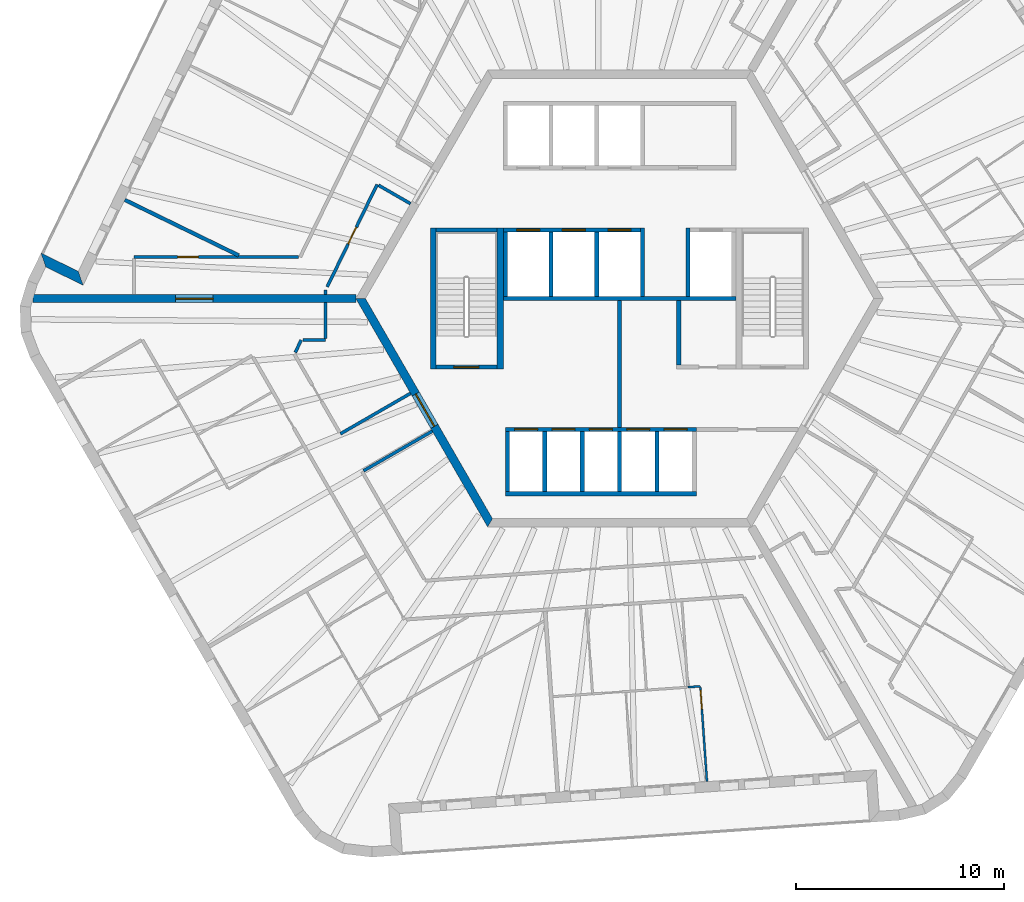
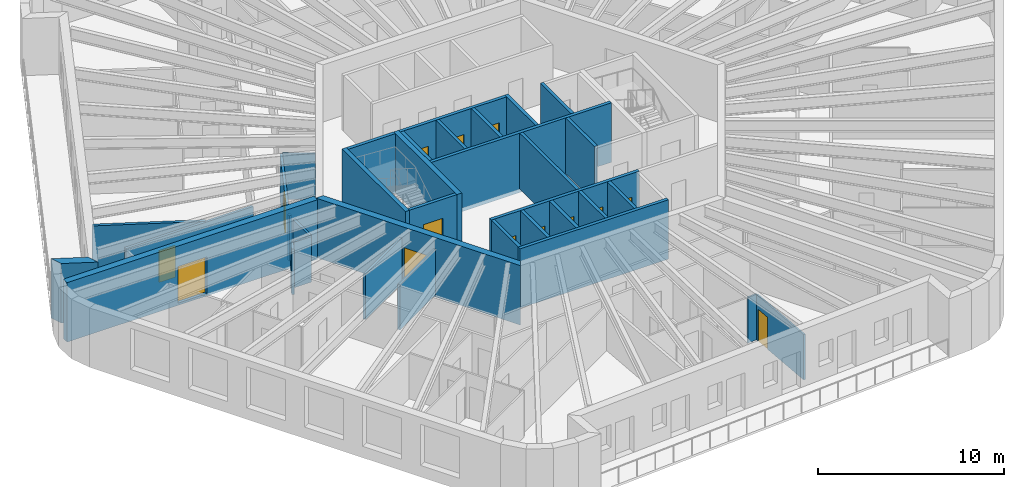
# One storey, part 5 of 12: 35 walls, 14 doors, 14 openings.
"""IFC4 building model written with IfcOpenShell, lengths in metres."""

from ifc_helpers import new_model, si_unit, direction, frame, frame_2d, origin, place, context, subcontext, project, spatial, polyline, rectangle, outline, extrude, material, layer, layer_set, type_object, element, fill, save


model = new_model("IFC4")

# Units and contexts
model_context = context("Model", 3, precision=1e-05, world=origin(), true_north=direction((0.0, 1.0)))
body_context = subcontext(model_context, "Body", "Model", "MODEL_VIEW")
ifc_project = project(units=[si_unit("LENGTHUNIT", "METRE"), si_unit("AREAUNIT", "SQUARE_METRE"), si_unit("VOLUMEUNIT", "CUBIC_METRE"), si_unit("PLANEANGLEUNIT", "RADIAN"), si_unit("MASSUNIT", "GRAM", prefix="KILO")], contexts=[model_context])

# Site, building, storey
site_placement = place(None, origin())
site = spatial("IfcSite", under=ifc_project, at=site_placement, CompositionType="ELEMENT")
building_placement = place(site_placement, origin())
building = spatial("IfcBuilding", under=site, at=building_placement, Name="Tarnside Tower", CompositionType="ELEMENT")
storey_placement = place(building_placement, frame((0.0, 0.0, 318.60009765625)))
storey = spatial("IfcBuildingStorey", under=building, at=storey_placement, Name="L77", CompositionType="ELEMENT", Elevation=318.60009765625)

# Walls
ifc_material_1 = material(Name="Concrete C40/50", Category="concrete")
ifc_layer_1 = layer(ifc_material_1, 0.199951171875)
ifc_layer_set_1 = layer_set([ifc_layer_1], Name="Core room partition 200 C40/50")
wall_type_1 = type_object("IfcWallType", Name="Core room partition 200 C40/50", PredefinedType="PARTITIONING", material=ifc_layer_set_1)
wall_1_placement = place(storey_placement, frame((2.85009765625, -3.199951171875, 0.0), z_axis=(0.0, 0.0, 1.0), x_axis=(0.0, 1.0, 0.0)))
element("IfcWall", 1, at=wall_1_placement, inside=storey, type_object=wall_type_1, Name="L77 core partition R3P1a", PredefinedType="PARTITIONING", context=body_context, shape_type="SweptSolid", body=[
    extrude(rectangle(XDim=3.099853515625, YDim=0.199951171875, at=frame_2d((1.5498046875, 0.0))), origin(), (0.0, 0.0, 1.0), 3.64990234375),
])
wall_2_placement = place(storey_placement, frame((0.0, -6.199951171875, 0.0), z_axis=(0.0, 0.0, 1.0), x_axis=(0.0, 1.0, 0.0)))
element("IfcWall", 2, at=wall_2_placement, inside=storey, type_object=wall_type_1, Name="L77 core partition X0", PredefinedType="PARTITIONING", context=body_context, shape_type="SweptSolid", body=[
    extrude(rectangle(XDim=6.099853515625, YDim=0.199951171875, at=frame_2d((3.0498046875, 0.0))), origin(), (0.0, 0.0, 1.0), 3.64990234375),
])

# Wall, opening, door
ifc_material_2 = material(Name="Concrete C60/75", Category="concrete")
ifc_layer_2 = layer(ifc_material_2, 0.39990234375)
ifc_layer_set_2 = layer_set([ifc_layer_2], Name="Core wall Z3 400 C60/75")
wall_type_2 = type_object("IfcWallType", Name="Core wall Z3 400 C60/75", PredefinedType="SHEAR", material=ifc_layer_set_2)
wall_3_placement = place(storey_placement, frame((-12.470703125, 0.0, -0.150146484375), z_axis=(0.0, 0.0, 1.0), x_axis=(0.499996419489, -0.866027470984, 0.0)))
wall_3 = element("IfcWall", 3, at=wall_3_placement, inside=storey, type_object=wall_type_2, Name="L77 core wall face 3", PredefinedType="SHEAR", context=body_context, shape_type="SweptSolid", body=[
    extrude(outline(polyline([(-0.115478515625, -0.199951171875), (12.586181640625, -0.199951171875), (12.355224609375, 0.199951171875), (0.115478515625, 0.199951171875), (-0.115478515625, -0.199951171875)])), origin(), (0.0, 0.0, 1.0), 3.900146484375),
])
opening_1_placement = place(wall_3_placement, frame((5.306396484375, 0.0, 0.14990234375)))
opening_1 = element("IfcOpeningElement", 4, at=opening_1_placement, cuts=wall_3, Name="Opening CD-FFL", PredefinedType="OPENING", context=body_context, shape_type="SweptSolid", body=[
    extrude(rectangle(XDim=1.800048828125, YDim=2.39990234375, at=frame_2d((0.89990234375, 1.199951171875))), frame((0.0, 0.2099609375, 0.0), z_axis=(0.0, -1.0, 0.0), x_axis=(1.0, 0.0, 0.0)), (0.0, 0.0, 1.0), 0.419921875),
])
ifc_material_3 = material(Name="Steel fire door", Category="steel")
door_type_1 = type_object("IfcDoorType", Name="Firefighting lobby double door FD60S 1800x2400", OperationType="NOTDEFINED", PredefinedType="DOOR", material=ifc_material_3)
door_1_placement = place(opening_1_placement, origin())
door_1 = element("IfcDoor", 5, at=door_1_placement, inside=storey, type_object=door_type_1, Name="L77 core door P3", OperationType="DOUBLE_DOOR_SINGLE_SWING", OverallHeight=2.39990234375, OverallWidth=1.800048828125, PredefinedType="DOOR", context=body_context, shape_type="SweptSolid", body=[
    extrude(rectangle(XDim=1.800048828125, YDim=2.39990234375, at=frame_2d((0.89990234375, 1.199951171875))), frame((0.0, 0.02490234375, 0.0), z_axis=(0.0, -1.0, 0.0), x_axis=(1.0, 0.0, 0.0)), (0.0, 0.0, 1.0), 0.050048828125),
])
fill(opening_1, door_1)

wall_4_placement = place(storey_placement, frame((-12.70166015625, 0.0, -0.150146484375), z_axis=(0.0, 0.0, 1.0), x_axis=(-1.0, 0.0, 0.0)))
wall_4 = element("IfcWall", 6, at=wall_4_placement, inside=storey, type_object=wall_type_2, Name="L77 spine wall 2", PredefinedType="SHEAR", context=body_context, shape_type="SweptSolid", body=[
    extrude(rectangle(XDim=15.54443359375, YDim=0.39990234375, at=frame_2d((7.772216796875, 0.0))), origin(), (0.0, 0.0, 1.0), 3.900146484375),
])
opening_2_placement = place(wall_4_placement, frame((6.872314453125, 0.0, 0.14990234375)))
opening_2 = element("IfcOpeningElement", 7, at=opening_2_placement, cuts=wall_4, Name="Opening CD-SPN", PredefinedType="OPENING", context=body_context, shape_type="SweptSolid", body=[
    extrude(rectangle(XDim=1.800048828125, YDim=2.39990234375, at=frame_2d((0.89990234375, 1.199951171875))), frame((0.0, 0.2099609375, 0.0), z_axis=(0.0, -1.0, 0.0), x_axis=(1.0, 0.0, 0.0)), (0.0, 0.0, 1.0), 0.419921875),
])
door_type_2 = type_object("IfcDoorType", Name="Spine passage double door FD60 1800x2400", OperationType="NOTDEFINED", PredefinedType="DOOR", material=ifc_material_3)
door_2_placement = place(opening_2_placement, origin())
door_2 = element("IfcDoor", 8, at=door_2_placement, inside=storey, type_object=door_type_2, Name="L77 spine passage door 2", OperationType="DOUBLE_DOOR_SINGLE_SWING", OverallHeight=2.39990234375, OverallWidth=1.800048828125, PredefinedType="DOOR", context=body_context, shape_type="SweptSolid", body=[
    extrude(rectangle(XDim=1.800048828125, YDim=2.39990234375, at=frame_2d((0.89990234375, 1.199951171875))), frame((0.0, 0.02490234375, 0.0), z_axis=(0.0, -1.0, 0.0), x_axis=(1.0, 0.0, 0.0)), (0.0, 0.0, 1.0), 0.050048828125),
])
fill(opening_2, door_2)

ifc_material_4 = material(Name="Gypsum board partition on steel studs", Category="steel")
ifc_layer_3 = layer(ifc_material_4, 0.14990234375)
ifc_layer_set_3 = layer_set([ifc_layer_3], Name="Corridor wall 150 EI 60")
wall_type_3 = type_object("IfcWallType", Name="Corridor wall 150 EI 60", PredefinedType="PARTITIONING", material=ifc_layer_set_3)
wall_5_placement = place(storey_placement, frame((-15.463134765625, 2.0, 0.0), z_axis=(0.0, 0.0, 1.0), x_axis=(-1.0, 0.0, 0.0)))
wall_5 = element("IfcWall", 9, at=wall_5_placement, inside=storey, type_object=wall_type_3, Name="Corridor wall 25014", PredefinedType="PARTITIONING", context=body_context, shape_type="SweptSolid", body=[
    extrude(rectangle(XDim=7.910888671875, YDim=0.14990234375, at=frame_2d((3.95556640625, 0.0))), origin(), (0.0, 0.0, 1.0), 2.98779296875),
])
opening_3_placement = place(wall_5_placement, frame((4.8173828125, 0.0, 0.0)))
opening_3 = element("IfcOpeningElement", 10, at=opening_3_placement, cuts=wall_5, Name="Opening D-E1", PredefinedType="OPENING", context=body_context, shape_type="SweptSolid", body=[
    extrude(rectangle(XDim=1.0, YDim=2.10009765625, at=frame_2d((0.5, 1.050048828125))), frame((0.0, 0.0849609375, 0.0), z_axis=(0.0, -1.0, 0.0), x_axis=(1.0, 0.0, 0.0)), (0.0, 0.0, 1.0), 0.169921875),
])
ifc_material_5 = material(Name="Timber door leaf", Category="wood")
door_type_3 = type_object("IfcDoorType", Name="Unit entrance door 1000 FD30S", OperationType="NOTDEFINED", PredefinedType="DOOR", material=ifc_material_5)
door_3_placement = place(opening_3_placement, origin())
door_3 = element("IfcDoor", 11, at=door_3_placement, inside=storey, type_object=door_type_3, Name="Unit door 25021", OperationType="SINGLE_SWING_LEFT", OverallHeight=2.10009765625, OverallWidth=1.0, PredefinedType="DOOR", context=body_context, shape_type="SweptSolid", body=[
    extrude(rectangle(XDim=1.0, YDim=2.10009765625, at=frame_2d((0.5, 1.050048828125))), frame((0.0, 0.02490234375, 0.0), z_axis=(0.0, -1.0, 0.0), x_axis=(1.0, 0.0, 0.0)), (0.0, 0.0, 1.0), 0.050048828125),
])
fill(opening_3, door_3)

# Wall
wall_6_placement = place(storey_placement, frame((-14.152587890625, 0.199951171875, 0.0), z_axis=(0.0, 0.0, 1.0), x_axis=(0.0, 1.0, 0.0)))
element("IfcWall", 12, at=wall_6_placement, inside=storey, type_object=wall_type_3, Name="Corridor wall 25025", PredefinedType="PARTITIONING", context=body_context, shape_type="SweptSolid", body=[
    extrude(rectangle(XDim=0.210205078125, YDim=0.14990234375, at=frame_2d((0.10498046875, 0.0))), origin(), (0.0, 0.0, 1.0), 2.98779296875),
])

# Wall, opening, door
wall_7_placement = place(storey_placement, frame((-14.07763671875, 0.563720703125, 0.0), z_axis=(0.0, 0.0, 1.0), x_axis=(0.438378907599, 0.898790261058, 0.0)))
wall_7 = element("IfcWall", 13, at=wall_7_placement, inside=storey, type_object=wall_type_3, Name="Corridor wall 25026", PredefinedType="PARTITIONING", context=body_context, shape_type="SweptSolid", body=[
    extrude(rectangle(XDim=5.485107421875, YDim=0.14990234375, at=frame_2d((2.74267578125, 0.0))), origin(), (0.0, 0.0, 1.0), 2.98779296875),
])
opening_4_placement = place(wall_7_placement, frame((2.29248046875, 0.0, 0.0)))
opening_4 = element("IfcOpeningElement", 14, at=opening_4_placement, cuts=wall_7, Name="Opening D-S1", PredefinedType="OPENING", context=body_context, shape_type="SweptSolid", body=[
    extrude(rectangle(XDim=0.89990234375, YDim=2.10009765625, at=frame_2d((0.449951171875, 1.050048828125))), frame((0.0, 0.0849609375, 0.0), z_axis=(0.0, -1.0, 0.0), x_axis=(1.0, 0.0, 0.0)), (0.0, 0.0, 1.0), 0.169921875),
])
door_type_4 = type_object("IfcDoorType", Name="Service room door 900 FD30S", OperationType="NOTDEFINED", PredefinedType="DOOR", material=ifc_material_5)
door_4_placement = place(opening_4_placement, origin())
door_4 = element("IfcDoor", 15, at=door_4_placement, inside=storey, type_object=door_type_4, Name="Service door 25072", OperationType="SINGLE_SWING_LEFT", OverallHeight=2.10009765625, OverallWidth=0.89990234375, PredefinedType="DOOR", context=body_context, shape_type="SweptSolid", body=[
    extrude(rectangle(XDim=0.89990234375, YDim=2.10009765625, at=frame_2d((0.449951171875, 1.050048828125))), frame((0.0, 0.02490234375, 0.0), z_axis=(0.0, -1.0, 0.0), x_axis=(1.0, 0.0, 0.0)), (0.0, 0.0, 1.0), 0.050048828125),
])
fill(opening_4, door_4)

# Walls
wall_8_placement = place(storey_placement, frame((-11.60791015625, 5.4560546875, 0.0), z_axis=(0.0, 0.0, 1.0), x_axis=(0.866032625367, -0.499987491644, 0.0)))
element("IfcWall", 16, at=wall_8_placement, inside=storey, type_object=wall_type_3, Name="Corridor wall 25027", PredefinedType="PARTITIONING", context=body_context, shape_type="SweptSolid", body=[
    extrude(rectangle(XDim=1.78076171875, YDim=0.14990234375, at=frame_2d((0.890380859375, 0.0))), origin(), (0.0, 0.0, 1.0), 2.98779296875),
])
wall_9_placement = place(storey_placement, frame((-10.065673828125, -4.565673828125, 0.0), z_axis=(0.0, 0.0, 1.0), x_axis=(-0.866027128446, -0.499997012787, 0.0)))
element("IfcWall", 17, at=wall_9_placement, inside=storey, type_object=wall_type_3, Name="Corridor wall 25044", PredefinedType="PARTITIONING", context=body_context, shape_type="SweptSolid", body=[
    extrude(rectangle(XDim=3.89990234375, YDim=0.14990234375, at=frame_2d((1.949951171875, 0.0))), origin(), (0.0, 0.0, 1.0), 2.98779296875),
])
wall_10_placement = place(storey_placement, frame((-15.619140625, -2.596923828125, 0.0), z_axis=(0.0, 0.0, 1.0), x_axis=(0.438220812173, 0.898867353828, 0.0)))
element("IfcWall", 18, at=wall_10_placement, inside=storey, type_object=wall_type_3, Name="Corridor wall 25046", PredefinedType="PARTITIONING", context=body_context, shape_type="SweptSolid", body=[
    extrude(rectangle(XDim=0.6640625, YDim=0.14990234375, at=frame_2d((0.33203125, 0.0))), origin(), (0.0, 0.0, 1.0), 2.98779296875),
])
wall_11_placement = place(storey_placement, frame((-15.24462890625, -2.0, 0.0), z_axis=(0.0, 0.0, 1.0), x_axis=(1.0, 0.0, 0.0)))
element("IfcWall", 19, at=wall_11_placement, inside=storey, type_object=wall_type_3, Name="Corridor wall 25047", PredefinedType="PARTITIONING", context=body_context, shape_type="SweptSolid", body=[
    extrude(rectangle(XDim=1.092041015625, YDim=0.14990234375, at=frame_2d((0.5458984375, 0.0))), origin(), (0.0, 0.0, 1.0), 2.98779296875),
])
wall_12_placement = place(storey_placement, frame((-14.152587890625, -1.925048828125, 0.0), z_axis=(0.0, 0.0, 1.0), x_axis=(0.0, 1.0, 0.0)))
element("IfcWall", 20, at=wall_12_placement, inside=storey, type_object=wall_type_3, Name="Corridor wall 25048", PredefinedType="PARTITIONING", context=body_context, shape_type="SweptSolid", body=[
    extrude(rectangle(XDim=1.72509765625, YDim=0.14990234375, at=frame_2d((0.862548828125, 0.0))), origin(), (0.0, 0.0, 1.0), 2.98779296875),
])
wall_13_placement = place(storey_placement, frame((-12.328369140625, -8.296875, 0.0), z_axis=(0.0, 0.0, 1.0), x_axis=(0.866027222339, 0.499996850159, 0.0)))
element("IfcWall", 21, at=wall_13_placement, inside=storey, type_object=wall_type_3, Name="Corridor wall 25052", PredefinedType="PARTITIONING", context=body_context, shape_type="SweptSolid", body=[
    extrude(rectangle(XDim=3.8251953125, YDim=0.14990234375, at=frame_2d((1.91259765625, 0.0))), origin(), (0.0, 0.0, 1.0), 2.98779296875),
])
ifc_layer_4 = layer(ifc_material_4, 0.179931640625)
ifc_layer_set_4 = layer_set([ifc_layer_4], Name="Demising wall 180 EI 60")
wall_type_4 = type_object("IfcWallType", Name="Demising wall 180 EI 60", PredefinedType="PARTITIONING", material=ifc_layer_set_4)
wall_14_placement = place(storey_placement, frame((-23.82861328125, 4.75146484375, 0.0), z_axis=(0.0, 0.0, 1.0), x_axis=(0.898782665031, -0.438394481079, 0.0)))
element("IfcWall", 22, at=wall_14_placement, inside=storey, type_object=wall_type_4, Name="Demising wall 25107", PredefinedType="PARTITIONING", context=body_context, shape_type="SweptSolid", body=[
    extrude(rectangle(XDim=6.105224609375, YDim=0.179931640625, at=frame_2d((3.052734375, 0.0))), origin(), (0.0, 0.0, 1.0), 2.98779296875),
])

# Wall, openings, doors
ifc_layer_5 = layer(ifc_material_1, 0.199951171875)
ifc_layer_set_5 = layer_set([ifc_layer_5], Name="Lift shaft wall 200 C40/50")
wall_type_5 = type_object("IfcWallType", Name="Lift shaft wall 200 C40/50", PredefinedType="SHEAR", material=ifc_layer_set_5)
wall_15_placement = place(storey_placement, frame((-5.60009765625, 3.300048828125, -0.25), z_axis=(0.0, 0.0, 1.0), x_axis=(1.0, 0.0, 0.0)))
wall_15 = element("IfcWall", 23, at=wall_15_placement, inside=storey, type_object=wall_type_5, Name="L77 lift shaft front wall R2", PredefinedType="SHEAR", context=body_context, shape_type="SweptSolid", body=[
    extrude(rectangle(XDim=6.60009765625, YDim=0.199951171875, at=frame_2d((3.300048828125, 0.0))), origin(), (0.0, 0.0, 1.0), 3.89990234375),
])
opening_5_placement = place(wall_15_placement, frame((0.64990234375, 0.0, 0.25)))
opening_5 = element("IfcOpeningElement", 24, at=opening_5_placement, cuts=wall_15, Name="Opening LD", PredefinedType="OPENING", context=body_context, shape_type="SweptSolid", body=[
    extrude(rectangle(XDim=1.10009765625, YDim=2.10009765625, at=frame_2d((0.550048828125, 1.050048828125))), frame((0.0, 0.10986328125, 0.0), z_axis=(0.0, -1.0, 0.0), x_axis=(1.0, 0.0, 0.0)), (0.0, 0.0, 1.0), 0.219970703125),
])
opening_6_placement = place(wall_15_placement, frame((2.85009765625, 0.0, 0.25)))
opening_6 = element("IfcOpeningElement", 25, at=opening_6_placement, cuts=wall_15, Name="Opening LD", PredefinedType="OPENING", context=body_context, shape_type="SweptSolid", body=[
    extrude(rectangle(XDim=1.10009765625, YDim=2.10009765625, at=frame_2d((0.550048828125, 1.050048828125))), frame((0.0, 0.10986328125, 0.0), z_axis=(0.0, -1.0, 0.0), x_axis=(1.0, 0.0, 0.0)), (0.0, 0.0, 1.0), 0.219970703125),
])
opening_7_placement = place(wall_15_placement, frame((5.050048828125, 0.0, 0.25)))
opening_7 = element("IfcOpeningElement", 26, at=opening_7_placement, cuts=wall_15, Name="Opening LD", PredefinedType="OPENING", context=body_context, shape_type="SweptSolid", body=[
    extrude(rectangle(XDim=1.10009765625, YDim=2.10009765625, at=frame_2d((0.550048828125, 1.050048828125))), frame((0.0, 0.10986328125, 0.0), z_axis=(0.0, -1.0, 0.0), x_axis=(1.0, 0.0, 0.0)), (0.0, 0.0, 1.0), 0.219970703125),
])
ifc_material_6 = material(Name="Stainless steel", Category="steel")
door_type_5 = type_object("IfcDoorType", Name="Lift landing door 1100x2100", OperationType="NOTDEFINED", PredefinedType="DOOR", material=ifc_material_6)
door_5_placement = place(opening_5_placement, origin())
door_5 = element("IfcDoor", 27, at=door_5_placement, inside=storey, type_object=door_type_5, Name="High-rise lift 4 landing door L77", OperationType="SLIDING_TO_LEFT", OverallHeight=2.10009765625, OverallWidth=1.10009765625, PredefinedType="DOOR", context=body_context, shape_type="SweptSolid", body=[
    extrude(rectangle(XDim=1.10009765625, YDim=2.10009765625, at=frame_2d((0.550048828125, 1.050048828125))), frame((0.0, 0.02490234375, 0.0), z_axis=(0.0, -1.0, 0.0), x_axis=(1.0, 0.0, 0.0)), (0.0, 0.0, 1.0), 0.050048828125),
])
fill(opening_5, door_5)
door_6_placement = place(opening_6_placement, origin())
door_6 = element("IfcDoor", 28, at=door_6_placement, inside=storey, type_object=door_type_5, Name="High-rise lift 5 landing door L77", OperationType="SLIDING_TO_LEFT", OverallHeight=2.10009765625, OverallWidth=1.10009765625, PredefinedType="DOOR", context=body_context, shape_type="SweptSolid", body=[
    extrude(rectangle(XDim=1.10009765625, YDim=2.10009765625, at=frame_2d((0.550048828125, 1.050048828125))), frame((0.0, 0.02490234375, 0.0), z_axis=(0.0, -1.0, 0.0), x_axis=(1.0, 0.0, 0.0)), (0.0, 0.0, 1.0), 0.050048828125),
])
fill(opening_6, door_6)
door_7_placement = place(opening_7_placement, origin())
door_7 = element("IfcDoor", 29, at=door_7_placement, inside=storey, type_object=door_type_5, Name="High-rise lift 6 landing door L77", OperationType="SLIDING_TO_LEFT", OverallHeight=2.10009765625, OverallWidth=1.10009765625, PredefinedType="DOOR", context=body_context, shape_type="SweptSolid", body=[
    extrude(rectangle(XDim=1.10009765625, YDim=2.10009765625, at=frame_2d((0.550048828125, 1.050048828125))), frame((0.0, 0.02490234375, 0.0), z_axis=(0.0, -1.0, 0.0), x_axis=(1.0, 0.0, 0.0)), (0.0, 0.0, 1.0), 0.050048828125),
])
fill(opening_7, door_7)

# Walls
wall_16_placement = place(storey_placement, frame((-5.60009765625, 0.0, -0.25), z_axis=(0.0, 0.0, 1.0), x_axis=(1.0, 0.0, 0.0)))
element("IfcWall", 30, at=wall_16_placement, inside=storey, type_object=wall_type_5, Name="L77 lift shaft back wall R2", PredefinedType="SHEAR", context=body_context, shape_type="SweptSolid", body=[
    extrude(rectangle(XDim=11.2001953125, YDim=0.199951171875, at=frame_2d((5.60009765625, 0.0))), origin(), (0.0, 0.0, 1.0), 3.89990234375),
])
for number, where, z_axis, x_axis, name in (
    (31, (-5.5, 0.10009765625, -0.25), (0.0, 0.0, 1.0), (0.0, 1.0, 0.0), "L77 lift shaft partition R21"),
    (32, (-3.300048828125, 0.10009765625, -0.25), (0.0, 0.0, 1.0), (0.0, 1.0, 0.0), "L77 lift shaft partition R22"),
    (33, (-1.10009765625, 0.10009765625, -0.25), (0.0, 0.0, 1.0), (0.0, 1.0, 0.0), "L77 lift shaft partition R23"),
):
    element("IfcWall", number, at=place(storey_placement, frame(where, z_axis=z_axis, x_axis=x_axis)), inside=storey, type_object=wall_type_5, Name=name, PredefinedType="SHEAR", context=body_context, shape_type="SweptSolid", body=[
        extrude(rectangle(XDim=3.099853515625, YDim=0.199951171875, at=frame_2d((1.5498046875, 0.0))), origin(), (0.0, 0.0, 1.0), 3.89990234375),
    ])
for number, where, z_axis, x_axis, name in (
    (34, (1.10009765625, 0.10009765625, -0.25), (0.0, 0.0, 1.0), (0.0, 1.0, 0.0), "L77 lift shaft partition R24"),
    (35, (3.300048828125, 0.10009765625, -0.25), (0.0, 0.0, 1.0), (0.0, 1.0, 0.0), "L77 lift shaft partition R25"),
):
    element("IfcWall", number, at=place(storey_placement, frame(where, z_axis=z_axis, x_axis=x_axis)), inside=storey, type_object=wall_type_5, Name=name, PredefinedType="SHEAR", context=body_context, shape_type="SweptSolid", body=[
        extrude(rectangle(XDim=3.2998046875, YDim=0.199951171875, at=frame_2d((1.64990234375, 0.0))), origin(), (0.0, 0.0, 1.0), 3.89990234375),
    ])

# Wall, openings, doors
wall_17_placement = place(storey_placement, frame((-5.5, -6.300048828125, -0.25), z_axis=(0.0, 0.0, 1.0), x_axis=(1.0, 0.0, 0.0)))
wall_17 = element("IfcWall", 36, at=wall_17_placement, inside=storey, type_object=wall_type_5, Name="L77 lift shaft front wall R4", PredefinedType="SHEAR", context=body_context, shape_type="SweptSolid", body=[
    extrude(rectangle(XDim=9.199951171875, YDim=0.199951171875, at=frame_2d((4.60009765625, 0.0))), origin(), (0.0, 0.0, 1.0), 3.89990234375),
])
opening_8_placement = place(wall_17_placement, frame((0.449951171875, 0.0, 0.25)))
opening_8 = element("IfcOpeningElement", 37, at=opening_8_placement, cuts=wall_17, Name="Opening LDF", PredefinedType="OPENING", context=body_context, shape_type="SweptSolid", body=[
    extrude(rectangle(XDim=1.10009765625, YDim=2.10009765625, at=frame_2d((0.550048828125, 1.050048828125))), frame((0.0, 0.10986328125, 0.0), z_axis=(0.0, -1.0, 0.0), x_axis=(1.0, 0.0, 0.0)), (0.0, 0.0, 1.0), 0.219970703125),
])
opening_9_placement = place(wall_17_placement, frame((2.25, 0.0, 0.25)))
opening_9 = element("IfcOpeningElement", 38, at=opening_9_placement, cuts=wall_17, Name="Opening LDF", PredefinedType="OPENING", context=body_context, shape_type="SweptSolid", body=[
    extrude(rectangle(XDim=1.10009765625, YDim=2.10009765625, at=frame_2d((0.550048828125, 1.050048828125))), frame((0.0, 0.10986328125, 0.0), z_axis=(0.0, -1.0, 0.0), x_axis=(1.0, 0.0, 0.0)), (0.0, 0.0, 1.0), 0.219970703125),
])
opening_10_placement = place(wall_17_placement, frame((4.050048828125, 0.0, 0.25)))
opening_10 = element("IfcOpeningElement", 39, at=opening_10_placement, cuts=wall_17, Name="Opening LDF", PredefinedType="OPENING", context=body_context, shape_type="SweptSolid", body=[
    extrude(rectangle(XDim=1.10009765625, YDim=2.10009765625, at=frame_2d((0.550048828125, 1.050048828125))), frame((0.0, 0.10986328125, 0.0), z_axis=(0.0, -1.0, 0.0), x_axis=(1.0, 0.0, 0.0)), (0.0, 0.0, 1.0), 0.219970703125),
])
opening_11_placement = place(wall_17_placement, frame((5.85009765625, 0.0, 0.25)))
opening_11 = element("IfcOpeningElement", 40, at=opening_11_placement, cuts=wall_17, Name="Opening LDF", PredefinedType="OPENING", context=body_context, shape_type="SweptSolid", body=[
    extrude(rectangle(XDim=1.10009765625, YDim=2.10009765625, at=frame_2d((0.550048828125, 1.050048828125))), frame((0.0, 0.10986328125, 0.0), z_axis=(0.0, -1.0, 0.0), x_axis=(1.0, 0.0, 0.0)), (0.0, 0.0, 1.0), 0.219970703125),
])
opening_12_placement = place(wall_17_placement, frame((7.64990234375, 0.0, 0.25)))
opening_12 = element("IfcOpeningElement", 41, at=opening_12_placement, cuts=wall_17, Name="Opening LDF", PredefinedType="OPENING", context=body_context, shape_type="SweptSolid", body=[
    extrude(rectangle(XDim=1.10009765625, YDim=2.10009765625, at=frame_2d((0.550048828125, 1.050048828125))), frame((0.0, 0.10986328125, 0.0), z_axis=(0.0, -1.0, 0.0), x_axis=(1.0, 0.0, 0.0)), (0.0, 0.0, 1.0), 0.219970703125),
])
door_type_6 = type_object("IfcDoorType", Name="Lift landing door 1100x2100 EI 120", OperationType="NOTDEFINED", PredefinedType="DOOR", material=ifc_material_6)
door_8_placement = place(opening_8_placement, origin())
door_8 = element("IfcDoor", 42, at=door_8_placement, inside=storey, type_object=door_type_6, Name="Firefighting lift 1 landing door L77", OperationType="SLIDING_TO_LEFT", OverallHeight=2.10009765625, OverallWidth=1.10009765625, PredefinedType="DOOR", context=body_context, shape_type="SweptSolid", body=[
    extrude(rectangle(XDim=1.10009765625, YDim=2.10009765625, at=frame_2d((0.550048828125, 1.050048828125))), frame((0.0, 0.02490234375, 0.0), z_axis=(0.0, -1.0, 0.0), x_axis=(1.0, 0.0, 0.0)), (0.0, 0.0, 1.0), 0.050048828125),
])
fill(opening_8, door_8)
door_9_placement = place(opening_9_placement, origin())
door_9 = element("IfcDoor", 43, at=door_9_placement, inside=storey, type_object=door_type_6, Name="Firefighting lift 2 landing door L77", OperationType="SLIDING_TO_LEFT", OverallHeight=2.10009765625, OverallWidth=1.10009765625, PredefinedType="DOOR", context=body_context, shape_type="SweptSolid", body=[
    extrude(rectangle(XDim=1.10009765625, YDim=2.10009765625, at=frame_2d((0.550048828125, 1.050048828125))), frame((0.0, 0.02490234375, 0.0), z_axis=(0.0, -1.0, 0.0), x_axis=(1.0, 0.0, 0.0)), (0.0, 0.0, 1.0), 0.050048828125),
])
fill(opening_9, door_9)
door_10_placement = place(opening_10_placement, origin())
door_10 = element("IfcDoor", 44, at=door_10_placement, inside=storey, type_object=door_type_6, Name="Firefighting lift 3 landing door L77", OperationType="SLIDING_TO_LEFT", OverallHeight=2.10009765625, OverallWidth=1.10009765625, PredefinedType="DOOR", context=body_context, shape_type="SweptSolid", body=[
    extrude(rectangle(XDim=1.10009765625, YDim=2.10009765625, at=frame_2d((0.550048828125, 1.050048828125))), frame((0.0, 0.02490234375, 0.0), z_axis=(0.0, -1.0, 0.0), x_axis=(1.0, 0.0, 0.0)), (0.0, 0.0, 1.0), 0.050048828125),
])
fill(opening_10, door_10)
door_11_placement = place(opening_11_placement, origin())
door_11 = element("IfcDoor", 45, at=door_11_placement, inside=storey, type_object=door_type_6, Name="Firefighting lift 4 landing door L77", OperationType="SLIDING_TO_LEFT", OverallHeight=2.10009765625, OverallWidth=1.10009765625, PredefinedType="DOOR", context=body_context, shape_type="SweptSolid", body=[
    extrude(rectangle(XDim=1.10009765625, YDim=2.10009765625, at=frame_2d((0.550048828125, 1.050048828125))), frame((0.0, 0.02490234375, 0.0), z_axis=(0.0, -1.0, 0.0), x_axis=(1.0, 0.0, 0.0)), (0.0, 0.0, 1.0), 0.050048828125),
])
fill(opening_11, door_11)
door_12_placement = place(opening_12_placement, origin())
door_12 = element("IfcDoor", 46, at=door_12_placement, inside=storey, type_object=door_type_6, Name="Firefighting lift 5 landing door L77", OperationType="SLIDING_TO_LEFT", OverallHeight=2.10009765625, OverallWidth=1.10009765625, PredefinedType="DOOR", context=body_context, shape_type="SweptSolid", body=[
    extrude(rectangle(XDim=1.10009765625, YDim=2.10009765625, at=frame_2d((0.550048828125, 1.050048828125))), frame((0.0, 0.02490234375, 0.0), z_axis=(0.0, -1.0, 0.0), x_axis=(1.0, 0.0, 0.0)), (0.0, 0.0, 1.0), 0.050048828125),
])
fill(opening_12, door_12)

# Walls
wall_18_placement = place(storey_placement, frame((-5.5, -9.39990234375, -0.25), z_axis=(0.0, 0.0, 1.0), x_axis=(1.0, 0.0, 0.0)))
element("IfcWall", 47, at=wall_18_placement, inside=storey, type_object=wall_type_5, Name="L77 lift shaft back wall R4", PredefinedType="SHEAR", context=body_context, shape_type="SweptSolid", body=[
    extrude(rectangle(XDim=9.199951171875, YDim=0.199951171875, at=frame_2d((4.60009765625, 0.0))), origin(), (0.0, 0.0, 1.0), 3.89990234375),
])
for number, where, z_axis, x_axis, name in (
    (48, (-5.39990234375, -9.300048828125, -0.25), (0.0, 0.0, 1.0), (0.0, 1.0, 0.0), "L77 lift shaft partition R41"),
    (49, (-3.60009765625, -9.300048828125, -0.25), (0.0, 0.0, 1.0), (0.0, 1.0, 0.0), "L77 lift shaft partition R42"),
    (50, (-1.800048828125, -9.300048828125, -0.25), (0.0, 0.0, 1.0), (0.0, 1.0, 0.0), "L77 lift shaft partition R43"),
    (51, (0.0, -9.300048828125, -0.25), (0.0, 0.0, 1.0), (0.0, 1.0, 0.0), "L77 lift shaft partition R44"),
    (52, (1.800048828125, -9.300048828125, -0.25), (0.0, 0.0, 1.0), (0.0, 1.0, 0.0), "L77 lift shaft partition R45"),
):
    element("IfcWall", number, at=place(storey_placement, frame(where, z_axis=z_axis, x_axis=x_axis)), inside=storey, type_object=wall_type_5, Name=name, PredefinedType="SHEAR", context=body_context, shape_type="SweptSolid", body=[
        extrude(rectangle(XDim=2.900146484375, YDim=0.199951171875, at=frame_2d((1.4501953125, 0.0))), origin(), (0.0, 0.0, 1.0), 3.89990234375),
    ])
wall_19_placement = place(storey_placement, frame((-8.85009765625, 3.300048828125, -0.25), z_axis=(0.0, 0.0, 1.0), x_axis=(1.0, 0.0, 0.0)))
element("IfcWall", 53, at=wall_19_placement, inside=storey, type_object=wall_type_5, Name="L77 stair 2 enclosure cap wall n", PredefinedType="SHEAR", context=body_context, shape_type="SweptSolid", body=[
    extrude(rectangle(XDim=2.9501953125, YDim=0.199951171875, at=frame_2d((1.47509765625, 0.0))), origin(), (0.0, 0.0, 1.0), 3.89990234375),
])

# Wall, opening, door
wall_20_placement = place(storey_placement, frame((-8.85009765625, -3.300048828125, -0.25), z_axis=(0.0, 0.0, 1.0), x_axis=(1.0, 0.0, 0.0)))
wall_20 = element("IfcWall", 54, at=wall_20_placement, inside=storey, type_object=wall_type_5, Name="L77 stair 2 enclosure cap wall s", PredefinedType="SHEAR", context=body_context, shape_type="SweptSolid", body=[
    extrude(rectangle(XDim=2.9501953125, YDim=0.199951171875, at=frame_2d((1.47509765625, 0.0))), origin(), (0.0, 0.0, 1.0), 3.89990234375),
])
opening_13_placement = place(wall_20_placement, frame((0.875, 0.0, 0.25)))
opening_13 = element("IfcOpeningElement", 55, at=opening_13_placement, cuts=wall_20, Name="Opening CD-STR", PredefinedType="OPENING", context=body_context, shape_type="SweptSolid", body=[
    extrude(rectangle(XDim=1.199951171875, YDim=2.39990234375, at=frame_2d((0.60009765625, 1.199951171875))), frame((0.0, 0.10986328125, 0.0), z_axis=(0.0, -1.0, 0.0), x_axis=(1.0, 0.0, 0.0)), (0.0, 0.0, 1.0), 0.219970703125),
])
door_type_7 = type_object("IfcDoorType", Name="Stair door FD60S 1200x2400", OperationType="NOTDEFINED", PredefinedType="DOOR", material=ifc_material_3)
door_13_placement = place(opening_13_placement, origin())
door_13 = element("IfcDoor", 56, at=door_13_placement, inside=storey, type_object=door_type_7, Name="L77 stair 2 door", OperationType="SINGLE_SWING_LEFT", OverallHeight=2.39990234375, OverallWidth=1.199951171875, PredefinedType="DOOR", context=body_context, shape_type="SweptSolid", body=[
    extrude(rectangle(XDim=1.199951171875, YDim=2.39990234375, at=frame_2d((0.60009765625, 1.199951171875))), frame((0.0, 0.02490234375, 0.0), z_axis=(0.0, -1.0, 0.0), x_axis=(1.0, 0.0, 0.0)), (0.0, 0.0, 1.0), 0.050048828125),
])
fill(opening_13, door_13)

# Walls
ifc_material_7 = material(Name="Dark zinc cladding")
ifc_layer_6 = layer(ifc_material_7, 0.10205078125)
ifc_material_8 = material(Name="Concrete C60/75 precast", Category="concrete")
ifc_layer_7 = layer(ifc_material_8, 0.298095703125)
ifc_material_9 = material(Name="Mineral wool insulation")
ifc_layer_8 = layer(ifc_material_9, 0.10009765625)
ifc_layer_set_6 = layer_set([ifc_layer_6, ifc_layer_7, ifc_layer_8], Name="Loggia wall 500 zinc faced")
wall_type_6 = type_object("IfcWallType", Name="Loggia wall 500 zinc faced", PredefinedType="SOLIDWALL", material=ifc_layer_set_6)
wall_21_placement = place(storey_placement, frame((-25.9482421875, 0.97607421875, -0.150146484375), z_axis=(0.0, 0.0, 1.0), x_axis=(-0.898802465371, 0.438353884714, 0.0)))
element("IfcWall", 57, at=wall_21_placement, inside=storey, type_object=wall_type_6, Name="Tube wall L77 F2 return 07", PredefinedType="SOLIDWALL", context=body_context, shape_type="SweptSolid", body=[
    extrude(outline(polyline([(0.25, -0.25), (2.25, -0.25), (1.75, 0.25), (-0.25, 0.25), (0.25, -0.25)])), origin(), (0.0, 0.0, 1.0), 3.900146484375),
])
ifc_layer_9 = layer(ifc_material_4, 0.10009765625)
ifc_layer_set_7 = layer_set([ifc_layer_9], Name="Partition 100")
wall_type_7 = type_object("IfcWallType", Name="Partition 100", PredefinedType="PARTITIONING", material=ifc_layer_set_7)
wall_22_placement = place(storey_placement, frame((3.286865234375, -18.71630859375, 0.0), z_axis=(0.0, 0.0, 1.0), x_axis=(0.997564613391, 0.069748420123, 0.0)))
element("IfcWall", 58, at=wall_22_placement, inside=storey, type_object=wall_type_7, Name="Partition wall 25136", PredefinedType="PARTITIONING", context=body_context, shape_type="SweptSolid", body=[
    extrude(rectangle(XDim=0.60205078125, YDim=0.10009765625, at=frame_2d((0.301025390625, 0.0))), origin(), (0.0, 0.0, 1.0), 2.98779296875),
])

# Wall, opening, door
wall_23_placement = place(storey_placement, frame((3.890869140625, -18.72412109375, 0.0), z_axis=(0.0, 0.0, 1.0), x_axis=(0.06975224022, -0.997564346288, 0.0)))
wall_23 = element("IfcWall", 59, at=wall_23_placement, inside=storey, type_object=wall_type_7, Name="Partition wall 25137", PredefinedType="PARTITIONING", context=body_context, shape_type="SweptSolid", body=[
    extrude(rectangle(XDim=4.550048828125, YDim=0.10009765625, at=frame_2d((2.27490234375, 0.0))), origin(), (0.0, 0.0, 1.0), 2.98779296875),
])
opening_14_placement = place(wall_23_placement, frame((0.14990234375, 0.0, 0.0)))
opening_14 = element("IfcOpeningElement", 60, at=opening_14_placement, cuts=wall_23, Name="Opening D-I1", PredefinedType="OPENING", context=body_context, shape_type="SweptSolid", body=[
    extrude(rectangle(XDim=0.89990234375, YDim=2.10009765625, at=frame_2d((0.449951171875, 1.050048828125))), frame((0.0, 0.06005859375, 0.0), z_axis=(0.0, -1.0, 0.0), x_axis=(1.0, 0.0, 0.0)), (0.0, 0.0, 1.0), 0.1201171875),
])
door_type_8 = type_object("IfcDoorType", Name="Internal door 900", OperationType="NOTDEFINED", PredefinedType="DOOR", material=ifc_material_5)
door_14_placement = place(opening_14_placement, origin())
door_14 = element("IfcDoor", 61, at=door_14_placement, inside=storey, type_object=door_type_8, Name="Internal door 25045", OperationType="SINGLE_SWING_RIGHT", OverallHeight=2.10009765625, OverallWidth=0.89990234375, PredefinedType="DOOR", context=body_context, shape_type="SweptSolid", body=[
    extrude(rectangle(XDim=0.89990234375, YDim=2.10009765625, at=frame_2d((0.449951171875, 1.050048828125))), frame((0.0, 0.02490234375, 0.0), z_axis=(0.0, -1.0, 0.0), x_axis=(1.0, 0.0, 0.0)), (0.0, 0.0, 1.0), 0.050048828125),
])
fill(opening_14, door_14)

# Walls
ifc_layer_10 = layer(ifc_material_1, 0.25)
ifc_layer_set_8 = layer_set([ifc_layer_10], Name="Stair enclosure wall 250 C40/50")
wall_type_8 = type_object("IfcWallType", Name="Stair enclosure wall 250 C40/50", PredefinedType="SHEAR", material=ifc_layer_set_8)
wall_24_placement = place(storey_placement, frame((-8.97509765625, -3.39990234375, -0.25), z_axis=(0.0, 0.0, 1.0), x_axis=(0.0, 1.0, 0.0)))
element("IfcWall", 62, at=wall_24_placement, inside=storey, type_object=wall_type_8, Name="L77 stair 2 enclosure wall outer", PredefinedType="SHEAR", context=body_context, shape_type="SweptSolid", body=[
    extrude(rectangle(XDim=6.7998046875, YDim=0.25, at=frame_2d((3.39990234375, 0.0))), origin(), (0.0, 0.0, 1.0), 3.89990234375),
])
ifc_layer_11 = layer(ifc_material_1, 0.300048828125)
ifc_layer_set_9 = layer_set([ifc_layer_11], Name="Stair enclosure wall 300 C40/50")
wall_type_9 = type_object("IfcWallType", Name="Stair enclosure wall 300 C40/50", PredefinedType="SHEAR", material=ifc_layer_set_9)
wall_25_placement = place(storey_placement, frame((-5.75, -3.39990234375, -0.25), z_axis=(0.0, 0.0, 1.0), x_axis=(0.0, 1.0, 0.0)))
element("IfcWall", 63, at=wall_25_placement, inside=storey, type_object=wall_type_9, Name="L77 stair 2 enclosure wall inner", PredefinedType="SHEAR", context=body_context, shape_type="SweptSolid", body=[
    extrude(rectangle(XDim=6.7998046875, YDim=0.300048828125, at=frame_2d((3.39990234375, 0.0))), origin(), (0.0, 0.0, 1.0), 3.89990234375),
])

save(model, "model.ifc")
